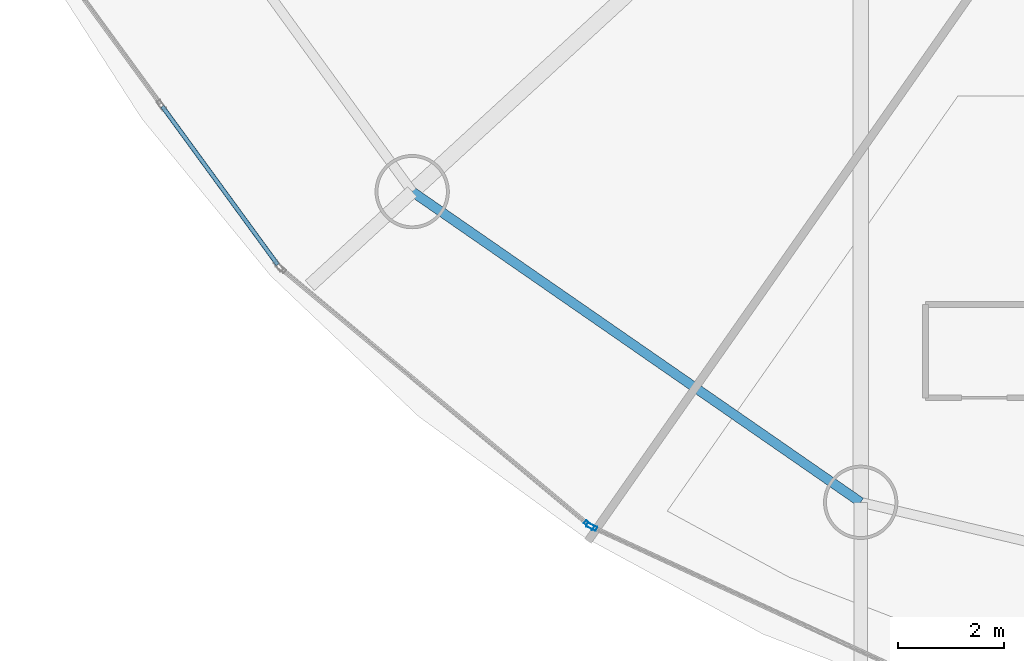
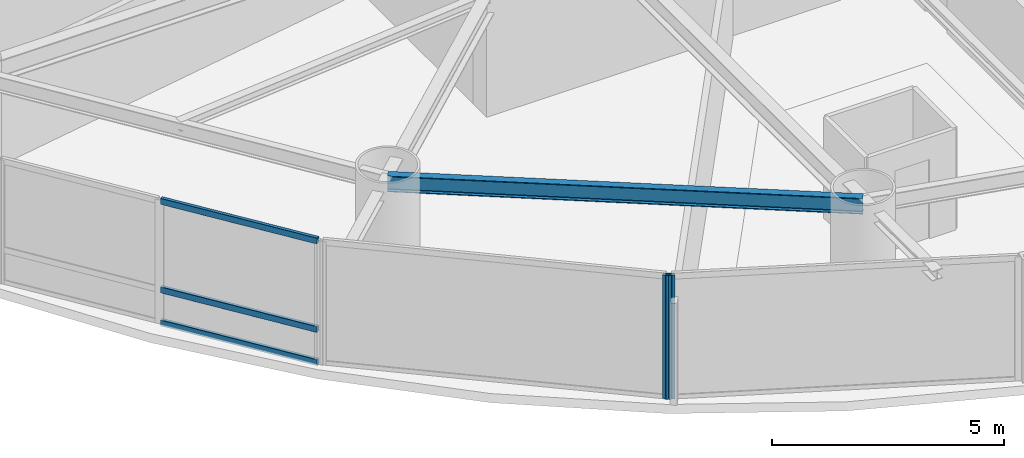
# One storey, part 2 of 23: 5 members, 1 beam, 3 elements without a shape of their own.
"""IFC4 building model written with IfcOpenShell, lengths in metres."""

from ifc_helpers import new_model, si_unit, direction, frame, origin, origin_2d, place, context, subcontext, project, spatial, hollow_rectangle, i_section, extrude, material, layer, layer_set, material_profile, profile_set, type_object, element, aggregate, save


model = new_model("IFC4")

# Units and contexts
model_context = context("Model", 3, precision=1e-05, world=origin(), true_north=direction((0.0, 1.0)))
body_context = subcontext(model_context, "Body", "Model", "MODEL_VIEW")
ifc_project = project(units=[si_unit("LENGTHUNIT", "METRE"), si_unit("AREAUNIT", "SQUARE_METRE"), si_unit("VOLUMEUNIT", "CUBIC_METRE"), si_unit("PLANEANGLEUNIT", "RADIAN"), si_unit("MASSUNIT", "GRAM", prefix="KILO")], contexts=[model_context])

# Site, building, storey
site_placement = place(None, origin())
site = spatial("IfcSite", under=ifc_project, at=site_placement, CompositionType="ELEMENT")
building_placement = place(site_placement, origin())
building = spatial("IfcBuilding", under=site, at=building_placement, Name="Bramvorn Convention Spire", CompositionType="ELEMENT")
storey_placement = place(building_placement, frame((0.0, 0.0, 158.800048828125)))
storey = spatial("IfcBuildingStorey", under=building, at=storey_placement, Name="L40", CompositionType="ELEMENT", Elevation=158.800048828125)

# Beam
ifc_material_1 = material(Name="Steel CSA G40.21 Grade 350 (350W)", Category="steel")
ifc_material_profile_1 = material_profile(ifc_material_1, i_section(OverallWidth=0.180908203125, OverallDepth=0.4169921875, WebThickness=0.010986328125, FlangeThickness=0.018310546875, FilletRadius=0.01611328125, at=origin_2d()))
ifc_profile_set_1 = profile_set([ifc_material_profile_1], Name="Steel CSA G40.21 Grade 350 (350W) - W410X85")
beam_type = type_object("IfcBeamType", Name="BM-W410X85", PredefinedType="JOIST", material=ifc_profile_set_1)
beam_placement = place(storey_placement, frame((21.465087890625, 13.700927734375, 3.051513671875), z_axis=(0.822033166673, -0.569439613032, 0.0), x_axis=(0.569439613032, 0.822033166673, 0.0)))
element("IfcBeam", 1, at=beam_placement, inside=storey, type_object=beam_type, Name="L40 mega-column ring beam 12", PredefinedType="JOIST", context=body_context, shape_type="SweptSolid", body=[
    extrude(i_section(OverallWidth=0.180908203125, OverallDepth=0.4169921875, WebThickness=0.010986328125, FlangeThickness=0.018310546875, FilletRadius=0.01611328125, at=origin_2d()), origin(), (0.0, 0.0, 1.0), 10.281982421875),
])

# Curtain wall, member
ifc_material_2 = material(Name="Anodised Bronze Unitised Curtain Wall", Category="aluminium")
ifc_layer = layer(ifc_material_2, 0.179931640625)
ifc_layer_set = layer_set([ifc_layer], Name="Anodised Bronze Unitised Curtain Wall - CW-HTL-FRIT")
curtain_wall_type = type_object("IfcCurtainWallType", Name="CW-HTL-FRIT", PredefinedType="USERDEFINED", material=ifc_layer_set)
curtain_wall_1_placement = place(storey_placement, origin())
curtain_wall_1 = element("IfcCurtainWall", 2, at=curtain_wall_1_placement, inside=storey, type_object=curtain_wall_type, Name="L40 fritted glass curtain wall 18", ObjectType="UNITISED CURTAIN WALL", PredefinedType="USERDEFINED")
ifc_material_3 = material(Name="Anodised Bronze Aluminium 6063-T6", Category="aluminium")
ifc_material_profile_2 = material_profile(ifc_material_3, hollow_rectangle(XDim=0.080078125, YDim=0.199951171875, WallThickness=0.00390625, InnerFilletRadius=0.0009765625, OuterFilletRadius=0.00390625, at=origin_2d()))
ifc_profile_set_2 = profile_set([ifc_material_profile_2], Name="Anodised Bronze Aluminium 6063-T6 - CWM80X200")
member_type_1 = type_object("IfcMemberType", Name="CW-MUL-180", PredefinedType="MULLION", material=ifc_profile_set_2)
member_1_placement = place(storey_placement, frame((24.79736328125, 7.4169921875, 0.0), z_axis=(0.0, 0.0, 1.0), x_axis=(-0.640070762109, -0.768315963321, 0.0)))
member_1 = element("IfcMember", 3, at=member_1_placement, type_object=member_type_1, Name="CW2 mullion 1", PredefinedType="MULLION", context=body_context, shape_type="SweptSolid", body=[
    extrude(hollow_rectangle(XDim=0.080078125, YDim=0.199951171875, WallThickness=0.00390625, InnerFilletRadius=0.0009765625, OuterFilletRadius=0.00390625, at=origin_2d()), origin(), (0.0, 0.0, 1.0), 3.260009765625),
])
aggregate(curtain_wall_1, [member_1])

curtain_wall_2_placement = place(storey_placement, origin())
curtain_wall_2 = element("IfcCurtainWall", 4, at=curtain_wall_2_placement, inside=storey, type_object=curtain_wall_type, Name="L40 fritted glass curtain wall 19", ObjectType="UNITISED CURTAIN WALL", PredefinedType="USERDEFINED")
member_2_placement = place(storey_placement, frame((24.84765625, 7.385009765625, 0.0), z_axis=(0.0, 0.0, 1.0), x_axis=(-0.419496851131, -0.907756791157, 0.0)))
member_2 = element("IfcMember", 5, at=member_2_placement, type_object=member_type_1, Name="CW2 mullion 2", PredefinedType="MULLION", context=body_context, shape_type="SweptSolid", body=[
    extrude(hollow_rectangle(XDim=0.080078125, YDim=0.199951171875, WallThickness=0.00390625, InnerFilletRadius=0.0009765625, OuterFilletRadius=0.00390625, at=origin_2d()), origin(), (0.0, 0.0, 1.0), 3.260009765625),
])
aggregate(curtain_wall_2, [member_2])

# Curtain wall, members
curtain_wall_3_placement = place(storey_placement, origin())
curtain_wall_3 = element("IfcCurtainWall", 6, at=curtain_wall_3_placement, inside=storey, type_object=curtain_wall_type, Name="L40 fritted glass curtain wall 17", ObjectType="UNITISED CURTAIN WALL", PredefinedType="USERDEFINED")
ifc_material_profile_3 = material_profile(ifc_material_3, hollow_rectangle(XDim=0.080078125, YDim=0.159912109375, WallThickness=0.00390625, InnerFilletRadius=0.0009765625, OuterFilletRadius=0.00390625, at=origin_2d()))
ifc_profile_set_3 = profile_set([ifc_material_profile_3], Name="Anodised Bronze Aluminium 6063-T6 - CWT80X160")
member_type_2 = type_object("IfcMemberType", Name="CW-TRN-150", PredefinedType="USERDEFINED", material=ifc_profile_set_3)
member_3_placement = place(storey_placement, frame((18.932373046875, 12.32177734375, 0.030029296875), z_axis=(-0.589161372027, 0.808015394476, 0.0), x_axis=(-0.808015394476, -0.589161372027, 0.0)))
member_3 = element("IfcMember", 7, at=member_3_placement, type_object=member_type_2, Name="CW2 transom 1.1", ObjectType="TRANSOM", PredefinedType="USERDEFINED", context=body_context, shape_type="SweptSolid", body=[
    extrude(hollow_rectangle(XDim=0.080078125, YDim=0.159912109375, WallThickness=0.00390625, InnerFilletRadius=0.0009765625, OuterFilletRadius=0.00390625, at=origin_2d()), origin(), (0.0, 0.0, 1.0), 3.694580078125),
])
member_4_placement = place(storey_placement, frame((18.932373046875, 12.32177734375, 0.89990234375), z_axis=(-0.589161372027, 0.808015394476, 0.0), x_axis=(-0.808015394476, -0.589161372027, 0.0)))
member_4 = element("IfcMember", 8, at=member_4_placement, type_object=member_type_2, Name="CW2 transom 1.2", ObjectType="TRANSOM", PredefinedType="USERDEFINED", context=body_context, shape_type="SweptSolid", body=[
    extrude(hollow_rectangle(XDim=0.080078125, YDim=0.159912109375, WallThickness=0.00390625, InnerFilletRadius=0.0009765625, OuterFilletRadius=0.00390625, at=origin_2d()), origin(), (0.0, 0.0, 1.0), 3.694580078125),
])
member_5_placement = place(storey_placement, frame((18.932373046875, 12.32177734375, 3.22998046875), z_axis=(-0.589161372027, 0.808015394476, 0.0), x_axis=(-0.808015394476, -0.589161372027, 0.0)))
member_5 = element("IfcMember", 9, at=member_5_placement, type_object=member_type_2, Name="CW2 transom 1.3", ObjectType="TRANSOM", PredefinedType="USERDEFINED", context=body_context, shape_type="SweptSolid", body=[
    extrude(hollow_rectangle(XDim=0.080078125, YDim=0.159912109375, WallThickness=0.00390625, InnerFilletRadius=0.0009765625, OuterFilletRadius=0.00390625, at=origin_2d()), origin(), (0.0, 0.0, 1.0), 3.694580078125),
])
aggregate(curtain_wall_3, [member_3, member_4, member_5])

save(model, "model.ifc")
